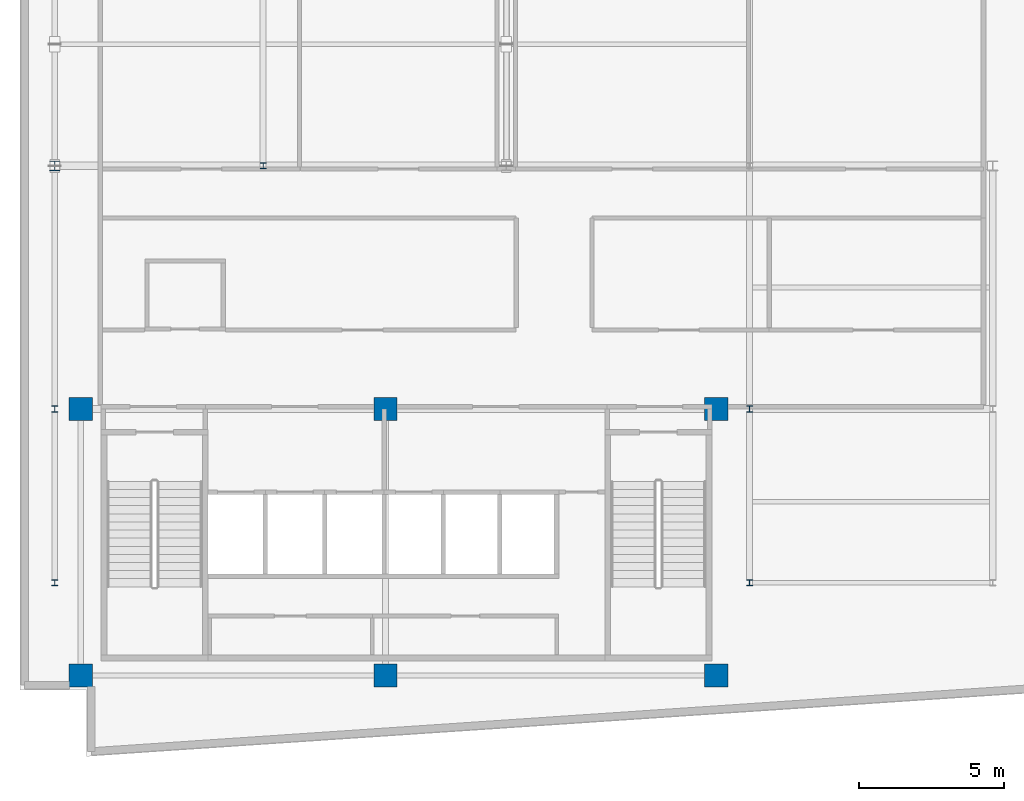
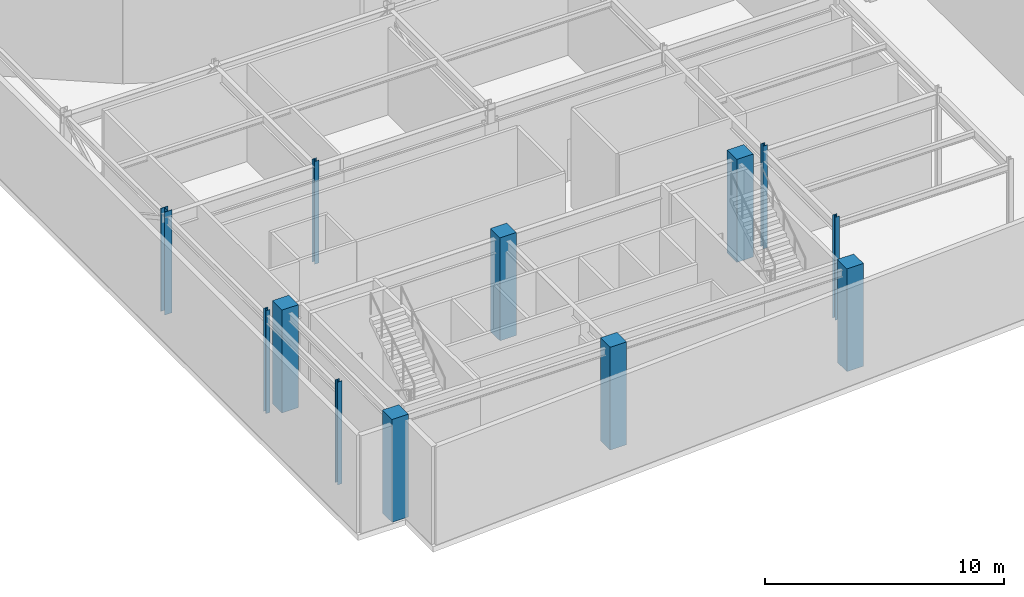
# One storey, part 1 of 14: 12 columns.
"""IFC4 building model written with IfcOpenShell, lengths in metres."""

from ifc_helpers import new_model, si_unit, direction, frame, origin, origin_2d, place, context, subcontext, project, spatial, rectangle, i_section, extrude, material, material_profile, profile_set, type_object, element, save


model = new_model("IFC4")

# Units and contexts
model_context = context("Model", 3, precision=1e-05, world=origin(), true_north=direction((0.0, 1.0)))
body_context = subcontext(model_context, "Body", "Model", "MODEL_VIEW")
ifc_project = project(units=[si_unit("LENGTHUNIT", "METRE"), si_unit("AREAUNIT", "SQUARE_METRE"), si_unit("VOLUMEUNIT", "CUBIC_METRE"), si_unit("PLANEANGLEUNIT", "RADIAN"), si_unit("MASSUNIT", "GRAM", prefix="KILO")], contexts=[model_context])

# Site, building, storey
site_placement = place(None, origin())
site = spatial("IfcSite", under=ifc_project, at=site_placement, CompositionType="ELEMENT")
building_placement = place(site_placement, origin())
building = spatial("IfcBuilding", under=site, at=building_placement, Name="Varnakote Quay Hospital", CompositionType="ELEMENT")
storey_placement = place(building_placement, frame((0.0, 0.0, 303.949951171875)))
storey = spatial("IfcBuildingStorey", under=building, at=storey_placement, Name="L75", CompositionType="ELEMENT", Elevation=303.949951171875)

# Columns
ifc_material_1 = material(Name="Concrete N50 (f'c 50 MPa)", Category="concrete")
ifc_material_profile_1 = material_profile(ifc_material_1, rectangle(XDim=0.800048828125, YDim=0.800048828125, at=origin_2d()), Name="RC-COL-800x800")
ifc_profile_set_1 = profile_set([ifc_material_profile_1], Name="Concrete N50 (f'c 50 MPa)")
column_type_1 = type_object("IfcColumnType", Name="COL-RC-800", PredefinedType="COLUMN", material=ifc_profile_set_1)
for number, where, z_axis, x_axis, name in (
    (1, (2.10009765625, 2.800048828125, 0.0), (0.0, 0.0, 1.0), (1.0, 0.0, 0.0), "L75 Structural Column C-2-3"),
    (2, (12.6201171875, 2.800048828125, 0.0), (0.0, 0.0, 1.0), (1.0, 0.0, 0.0), "L75 Structural Column C-13-3"),
    (3, (24.050048828125, 2.800048828125, 0.0), (0.0, 0.0, 1.0), (1.0, 0.0, 0.0), "L75 Structural Column C-24-3"),
    (4, (2.10009765625, 12.0, 0.0), (0.0, 0.0, 1.0), (1.0, 0.0, 0.0), "L75 Structural Column C-2-12"),
    (5, (12.6201171875, 12.0, 0.0), (0.0, 0.0, 1.0), (1.0, 0.0, 0.0), "L75 Structural Column C-13-12"),
    (6, (24.050048828125, 12.0, 0.0), (0.0, 0.0, 1.0), (1.0, 0.0, 0.0), "L75 Structural Column C-24-12"),
):
    element("IfcColumn", number, at=place(storey_placement, frame(where, z_axis=z_axis, x_axis=x_axis)), inside=storey, type_object=column_type_1, Name=name, PredefinedType="COLUMN", context=body_context, shape_type="SweptSolid", body=[
        extrude(rectangle(XDim=0.800048828125, YDim=0.800048828125, at=origin_2d()), origin(), (0.0, 0.0, 1.0), 5.25),
    ])
ifc_material_2 = material(Name="Structural steel AS/NZS 3679.1 Grade 350 L0 (fy 340 MPa)", Category="steel")
ifc_material_profile_2 = material_profile(ifc_material_2, i_section(OverallWidth=0.205078125, OverallDepth=0.2099609375, WebThickness=0.00927734375, FlangeThickness=0.01416015625, FilletRadius=0.011474609375, at=origin_2d()), Name="200UC59.5")
ifc_profile_set_2 = profile_set([ifc_material_profile_2], Name="Structural steel AS/NZS 3679.1 Grade 350 L0 (fy 340 MPa)")
column_type_2 = type_object("IfcColumnType", Name="COL-STL-200UC59-5", PredefinedType="COLUMN", material=ifc_profile_set_2)
for number, where, z_axis, x_axis, name in (
    (7, (1.199951171875, 6.0, 0.0), (0.0, 0.0, 1.0), (1.0, 0.0, 0.0), "L75 Structural Column C-1-6"),
    (8, (25.199951171875, 6.0, 0.0), (0.0, 0.0, 1.0), (1.0, 0.0, 0.0), "L75 Structural Column C-25-6"),
    (9, (1.199951171875, 12.0, 0.0), (0.0, 0.0, 1.0), (1.0, 0.0, 0.0), "L75 Structural Column C-1-12"),
    (10, (25.199951171875, 12.0, 0.0), (0.0, 0.0, 1.0), (1.0, 0.0, 0.0), "L75 Structural Column C-25-12"),
    (11, (8.39990234375, 20.39990234375, 0.0), (0.0, 0.0, 1.0), (1.0, 0.0, 0.0), "L75 Structural Column C-8-20"),
):
    element("IfcColumn", number, at=place(storey_placement, frame(where, z_axis=z_axis, x_axis=x_axis)), inside=storey, type_object=column_type_2, Name=name, PredefinedType="COLUMN", context=body_context, shape_type="SweptSolid", body=[
        extrude(i_section(OverallWidth=0.205078125, OverallDepth=0.2099609375, WebThickness=0.00927734375, FlangeThickness=0.01416015625, FilletRadius=0.011474609375, at=origin_2d()), origin(), (0.0, 0.0, 1.0), 5.25),
    ])
ifc_material_3 = material(Name="Structural steel AS/NZS 3678 Grade 350 (fy 340 MPa)", Category="steel")
ifc_material_profile_3 = material_profile(ifc_material_3, i_section(OverallWidth=0.35009765625, OverallDepth=0.340087890625, WebThickness=0.01611328125, FlangeThickness=0.028076171875, at=origin_2d()), Name="350WC197")
ifc_profile_set_3 = profile_set([ifc_material_profile_3], Name="Structural steel AS/NZS 3678 Grade 350 (fy 340 MPa)")
column_type_3 = type_object("IfcColumnType", Name="COL-STL-350WC197", PredefinedType="COLUMN", material=ifc_profile_set_3)
column_placement = place(storey_placement, frame((1.199951171875, 20.39990234375, 0.0), z_axis=(0.0, 0.0, 1.0), x_axis=(1.0, 0.0, 0.0)))
element("IfcColumn", 12, at=column_placement, inside=storey, type_object=column_type_3, Name="L75 Structural Column C-1-20", PredefinedType="COLUMN", context=body_context, shape_type="SweptSolid", body=[
    extrude(i_section(OverallWidth=0.35009765625, OverallDepth=0.340087890625, WebThickness=0.01611328125, FlangeThickness=0.028076171875, at=origin_2d()), origin(), (0.0, 0.0, 1.0), 5.25),
])

save(model, "model.ifc")
